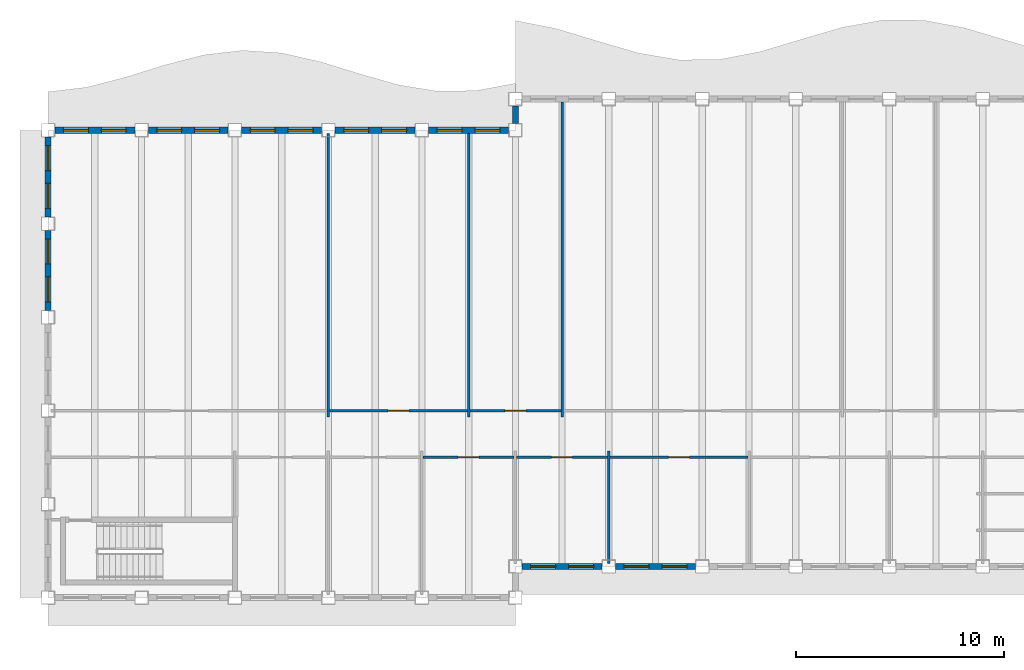
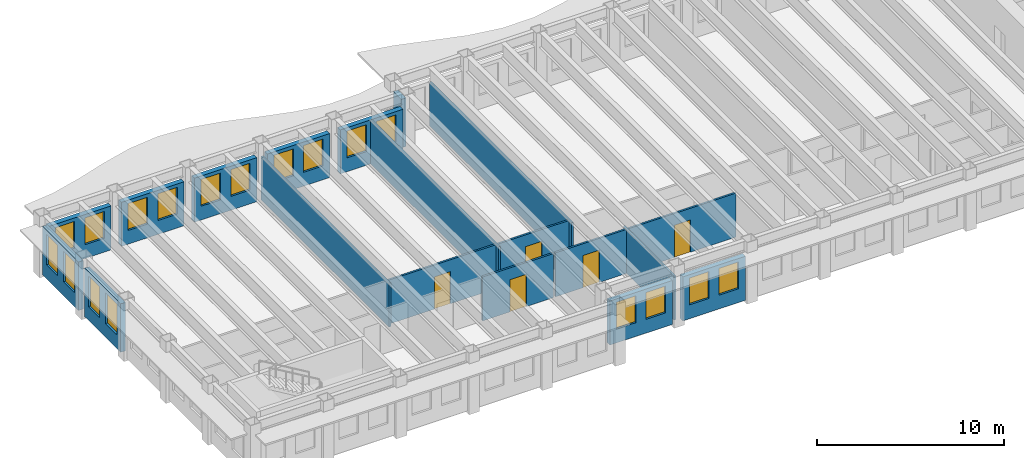
# One storey, part 3 of 12: 19 walls, 18 windows, 5 doors, 23 openings.
"""IFC4 building model written with IfcOpenShell, lengths in metres."""

from ifc_helpers import new_model, si_unit, direction, frame, frame_2d, origin, place, context, subcontext, project, spatial, rectangle, extrude, material, layer, layer_set, type_object, element, fill, save


model = new_model("IFC4")

# Units and contexts
model_context = context("Model", 3, precision=1e-05, world=origin(), true_north=direction((0.0, 1.0)))
body_context = subcontext(model_context, "Body", "Model", "MODEL_VIEW")
ifc_project = project(units=[si_unit("LENGTHUNIT", "METRE"), si_unit("AREAUNIT", "SQUARE_METRE"), si_unit("VOLUMEUNIT", "CUBIC_METRE"), si_unit("PLANEANGLEUNIT", "RADIAN"), si_unit("MASSUNIT", "GRAM", prefix="KILO")], contexts=[model_context])

# Site, building, storey
site_placement = place(None, origin())
site = spatial("IfcSite", under=ifc_project, at=site_placement, CompositionType="ELEMENT")
building_placement = place(site_placement, origin())
building = spatial("IfcBuilding", under=site, at=building_placement, Name="Sennacour Bend Tower", CompositionType="ELEMENT")
storey_placement = place(building_placement, frame((0.0, 0.0, 273.0)))
storey = spatial("IfcBuildingStorey", under=building, at=storey_placement, Name="L63", CompositionType="ELEMENT", Elevation=273.0)

# Walls
ifc_material_1 = material(Name="Plasterboard partition on steel studs", Category="steel")
ifc_layer_1 = layer(ifc_material_1, 0.1201171875, Name="Plasterboard partition on steel studs", Category="steel")
ifc_layer_set_1 = layer_set([ifc_layer_1], Name="Plasterboard partition on steel studs")
wall_type_1 = type_object("IfcWallType", Name="Partition 120", PredefinedType="PARTITIONING", material=ifc_layer_set_1)
for number, where, z_axis, x_axis, name in (
    (1, (13.5, 8.699951171875, 0.0), (0.0, 0.0, 1.0), (0.0, 1.0, 0.0), "P-L63-W007a"),
    (2, (20.25, 8.699951171875, 0.0), (0.0, 0.0, 1.0), (0.0, 1.0, 0.0), "P-L63-W009a"),
):
    element("IfcWall", number, at=place(storey_placement, frame(where, z_axis=z_axis, x_axis=x_axis)), inside=storey, type_object=wall_type_1, Name=name, PredefinedType="PARTITIONING", context=body_context, shape_type="SweptSolid", body=[
        extrude(rectangle(XDim=13.650146484375, YDim=0.1201171875, at=frame_2d((6.8251953125, 0.0))), origin(), (0.0, 0.0, 1.0), 2.8701171875),
    ])
wall_1_placement = place(storey_placement, frame((24.75, 8.699951171875, 0.0), z_axis=(0.0, 0.0, 1.0), x_axis=(0.0, 1.0, 0.0)))
element("IfcWall", 3, at=wall_1_placement, inside=storey, type_object=wall_type_1, Name="P-L63-W011a", PredefinedType="PARTITIONING", context=body_context, shape_type="SweptSolid", body=[
    extrude(rectangle(XDim=15.150146484375, YDim=0.1201171875, at=frame_2d((7.5751953125, 0.0))), origin(), (0.0, 0.0, 1.0), 2.8701171875),
])
wall_2_placement = place(storey_placement, frame((27.0, 1.64990234375, 0.0), z_axis=(0.0, 0.0, 1.0), x_axis=(0.0, 1.0, 0.0)))
element("IfcWall", 4, at=wall_2_placement, inside=storey, type_object=wall_type_1, Name="P-L63-W012a", PredefinedType="PARTITIONING", context=body_context, shape_type="SweptSolid", body=[
    extrude(rectangle(XDim=5.400146484375, YDim=0.1201171875, at=frame_2d((2.7001953125, 0.0))), origin(), (0.0, 0.0, 1.0), 2.8701171875),
])

# Wall, opening, door
wall_3_placement = place(storey_placement, frame((18.06005859375, 6.75, 0.0), z_axis=(0.0, 0.0, 1.0), x_axis=(1.0, 0.0, 0.0)))
wall_3 = element("IfcWall", 5, at=wall_3_placement, inside=storey, type_object=wall_type_1, Name="P-L63-W043ad", PredefinedType="PARTITIONING", context=body_context, shape_type="SweptSolid", body=[
    extrude(rectangle(XDim=4.3798828125, YDim=0.1201171875, at=frame_2d((2.18994140625, 0.0))), origin(), (0.0, 0.0, 1.0), 2.8701171875),
])
opening_1_placement = place(wall_3_placement, frame((1.68994140625, 0.0, 0.0)))
opening_1 = element("IfcOpeningElement", 6, at=opening_1_placement, cuts=wall_3, Name="Opening OD2", PredefinedType="OPENING", context=body_context, shape_type="SweptSolid", body=[
    extrude(rectangle(XDim=1.0, YDim=2.10009765625, at=frame_2d((0.5, 1.050048828125))), frame((0.0, 0.070068359375, 0.0), z_axis=(0.0, -1.0, 0.0), x_axis=(1.0, 0.0, 0.0)), (0.0, 0.0, 1.0), 0.14013671875),
])
ifc_material_2 = material(Name="Timber", Category="wood")
door_type = type_object("IfcDoorType", Name="DR-OFFICE-1000", OperationType="NOTDEFINED", PredefinedType="DOOR", material=ifc_material_2)
door_1_placement = place(opening_1_placement, origin())
door_1 = element("IfcDoor", 7, at=door_1_placement, inside=storey, type_object=door_type, Name="Door", OperationType="SINGLE_SWING_LEFT", OverallHeight=2.10009765625, OverallWidth=1.0, PredefinedType="DOOR", context=body_context, shape_type="SweptSolid", body=[
    extrude(rectangle(XDim=1.0, YDim=2.10009765625, at=frame_2d((0.5, 1.050048828125))), frame((0.0, 0.02490234375, 0.0), z_axis=(0.0, -1.0, 0.0), x_axis=(1.0, 0.0, 0.0)), (0.0, 0.0, 1.0), 0.050048828125),
])
fill(opening_1, door_1)

wall_4_placement = place(storey_placement, frame((22.56005859375, 6.75, 0.0), z_axis=(0.0, 0.0, 1.0), x_axis=(1.0, 0.0, 0.0)))
wall_4 = element("IfcWall", 8, at=wall_4_placement, inside=storey, type_object=wall_type_1, Name="P-L63-W043ae", PredefinedType="PARTITIONING", context=body_context, shape_type="SweptSolid", body=[
    extrude(rectangle(XDim=4.3798828125, YDim=0.1201171875, at=frame_2d((2.18994140625, 0.0))), origin(), (0.0, 0.0, 1.0), 2.8701171875),
])
opening_2_placement = place(wall_4_placement, frame((1.68994140625, 0.0, 0.0)))
opening_2 = element("IfcOpeningElement", 9, at=opening_2_placement, cuts=wall_4, Name="Opening OD2", PredefinedType="OPENING", context=body_context, shape_type="SweptSolid", body=[
    extrude(rectangle(XDim=1.0, YDim=2.10009765625, at=frame_2d((0.5, 1.050048828125))), frame((0.0, 0.070068359375, 0.0), z_axis=(0.0, -1.0, 0.0), x_axis=(1.0, 0.0, 0.0)), (0.0, 0.0, 1.0), 0.14013671875),
])
door_2_placement = place(opening_2_placement, origin())
door_2 = element("IfcDoor", 10, at=door_2_placement, inside=storey, type_object=door_type, Name="Door", OperationType="SINGLE_SWING_LEFT", OverallHeight=2.10009765625, OverallWidth=1.0, PredefinedType="DOOR", context=body_context, shape_type="SweptSolid", body=[
    extrude(rectangle(XDim=1.0, YDim=2.10009765625, at=frame_2d((0.5, 1.050048828125))), frame((0.0, 0.02490234375, 0.0), z_axis=(0.0, -1.0, 0.0), x_axis=(1.0, 0.0, 0.0)), (0.0, 0.0, 1.0), 0.050048828125),
])
fill(opening_2, door_2)

wall_5_placement = place(storey_placement, frame((27.06005859375, 6.75, 0.0), z_axis=(0.0, 0.0, 1.0), x_axis=(1.0, 0.0, 0.0)))
wall_5 = element("IfcWall", 11, at=wall_5_placement, inside=storey, type_object=wall_type_1, Name="P-L63-W043af", PredefinedType="PARTITIONING", context=body_context, shape_type="SweptSolid", body=[
    extrude(rectangle(XDim=6.6298828125, YDim=0.1201171875, at=frame_2d((3.31494140625, 0.0))), origin(), (0.0, 0.0, 1.0), 2.8701171875),
])
opening_3_placement = place(wall_5_placement, frame((2.81494140625, 0.0, 0.0)))
opening_3 = element("IfcOpeningElement", 12, at=opening_3_placement, cuts=wall_5, Name="Opening OD2", PredefinedType="OPENING", context=body_context, shape_type="SweptSolid", body=[
    extrude(rectangle(XDim=1.0, YDim=2.10009765625, at=frame_2d((0.5, 1.050048828125))), frame((0.0, 0.070068359375, 0.0), z_axis=(0.0, -1.0, 0.0), x_axis=(1.0, 0.0, 0.0)), (0.0, 0.0, 1.0), 0.14013671875),
])
door_3_placement = place(opening_3_placement, origin())
door_3 = element("IfcDoor", 13, at=door_3_placement, inside=storey, type_object=door_type, Name="Door", OperationType="SINGLE_SWING_LEFT", OverallHeight=2.10009765625, OverallWidth=1.0, PredefinedType="DOOR", context=body_context, shape_type="SweptSolid", body=[
    extrude(rectangle(XDim=1.0, YDim=2.10009765625, at=frame_2d((0.5, 1.050048828125))), frame((0.0, 0.02490234375, 0.0), z_axis=(0.0, -1.0, 0.0), x_axis=(1.0, 0.0, 0.0)), (0.0, 0.0, 1.0), 0.050048828125),
])
fill(opening_3, door_3)

wall_6_placement = place(storey_placement, frame((13.56005859375, 9.0, 0.0), z_axis=(0.0, 0.0, 1.0), x_axis=(1.0, 0.0, 0.0)))
wall_6 = element("IfcWall", 14, at=wall_6_placement, inside=storey, type_object=wall_type_1, Name="P-L63-W044ab", PredefinedType="PARTITIONING", context=body_context, shape_type="SweptSolid", body=[
    extrude(rectangle(XDim=6.6298828125, YDim=0.1201171875, at=frame_2d((3.31494140625, 0.0))), origin(), (0.0, 0.0, 1.0), 2.8701171875),
])
opening_4_placement = place(wall_6_placement, frame((2.81494140625, 0.0, 0.0)))
opening_4 = element("IfcOpeningElement", 15, at=opening_4_placement, cuts=wall_6, Name="Opening OD2", PredefinedType="OPENING", context=body_context, shape_type="SweptSolid", body=[
    extrude(rectangle(XDim=1.0, YDim=2.10009765625, at=frame_2d((0.5, 1.050048828125))), frame((0.0, 0.070068359375, 0.0), z_axis=(0.0, -1.0, 0.0), x_axis=(1.0, 0.0, 0.0)), (0.0, 0.0, 1.0), 0.14013671875),
])
door_4_placement = place(opening_4_placement, origin())
door_4 = element("IfcDoor", 16, at=door_4_placement, inside=storey, type_object=door_type, Name="Door", OperationType="SINGLE_SWING_LEFT", OverallHeight=2.10009765625, OverallWidth=1.0, PredefinedType="DOOR", context=body_context, shape_type="SweptSolid", body=[
    extrude(rectangle(XDim=1.0, YDim=2.10009765625, at=frame_2d((0.5, 1.050048828125))), frame((0.0, 0.02490234375, 0.0), z_axis=(0.0, -1.0, 0.0), x_axis=(1.0, 0.0, 0.0)), (0.0, 0.0, 1.0), 0.050048828125),
])
fill(opening_4, door_4)

wall_7_placement = place(storey_placement, frame((20.31005859375, 9.0, 0.0), z_axis=(0.0, 0.0, 1.0), x_axis=(1.0, 0.0, 0.0)))
wall_7 = element("IfcWall", 17, at=wall_7_placement, inside=storey, type_object=wall_type_1, Name="P-L63-W044ac", PredefinedType="PARTITIONING", context=body_context, shape_type="SweptSolid", body=[
    extrude(rectangle(XDim=4.3798828125, YDim=0.1201171875, at=frame_2d((2.18994140625, 0.0))), origin(), (0.0, 0.0, 1.0), 2.8701171875),
])
opening_5_placement = place(wall_7_placement, frame((1.68994140625, 0.0, 0.0)))
opening_5 = element("IfcOpeningElement", 18, at=opening_5_placement, cuts=wall_7, Name="Opening OD2", PredefinedType="OPENING", context=body_context, shape_type="SweptSolid", body=[
    extrude(rectangle(XDim=1.0, YDim=2.10009765625, at=frame_2d((0.5, 1.050048828125))), frame((0.0, 0.070068359375, 0.0), z_axis=(0.0, -1.0, 0.0), x_axis=(1.0, 0.0, 0.0)), (0.0, 0.0, 1.0), 0.14013671875),
])
door_5_placement = place(opening_5_placement, origin())
door_5 = element("IfcDoor", 19, at=door_5_placement, inside=storey, type_object=door_type, Name="Door", OperationType="SINGLE_SWING_LEFT", OverallHeight=2.10009765625, OverallWidth=1.0, PredefinedType="DOOR", context=body_context, shape_type="SweptSolid", body=[
    extrude(rectangle(XDim=1.0, YDim=2.10009765625, at=frame_2d((0.5, 1.050048828125))), frame((0.0, 0.02490234375, 0.0), z_axis=(0.0, -1.0, 0.0), x_axis=(1.0, 0.0, 0.0)), (0.0, 0.0, 1.0), 0.050048828125),
])
fill(opening_5, door_5)

# Wall, openings, windows
ifc_material_3 = material(Name="Warm limestone cladding", Category="masonry")
ifc_layer_2 = layer(ifc_material_3, 0.050048828125, Name="Warm limestone cladding", Category="masonry")
ifc_material_4 = material(Name="Precast concrete C40/50", Category="concrete")
ifc_layer_3 = layer(ifc_material_4, 0.25, Name="Precast concrete C40/50", Category="concrete")
ifc_layer_set_2 = layer_set([ifc_layer_2, ifc_layer_3], Name="Precast concrete C40/50 with limestone cladding")
wall_type_2 = type_object("IfcWallType", Name="STONE-CLAD PRECAST SPANDREL 300", PredefinedType="STANDARD", material=ifc_layer_set_2)
wall_8_placement = place(storey_placement, frame((22.824951171875, 1.5, 0.0), z_axis=(0.0, 0.0, 1.0), x_axis=(1.0, 0.0, 0.0)))
wall_8 = element("IfcWall", 20, at=wall_8_placement, inside=storey, type_object=wall_type_2, Name="Stone spandrel and pier wall L63 01.00", PredefinedType="STANDARD", context=body_context, shape_type="SweptSolid", body=[
    extrude(rectangle(XDim=3.85009765625, YDim=0.300048828125, at=frame_2d((1.925048828125, 0.0))), origin(), (0.0, 0.0, 1.0), 2.8701171875),
])
opening_6_placement = place(wall_8_placement, frame((0.41259765625, 0.0, 0.89990234375)))
opening_6 = element("IfcOpeningElement", 21, at=opening_6_placement, cuts=wall_8, Name="Opening W16", PredefinedType="OPENING", context=body_context, shape_type="SweptSolid", body=[
    extrude(rectangle(XDim=1.199951171875, YDim=1.75, at=frame_2d((0.60009765625, 0.875))), frame((0.0, 0.16015625, 0.0), z_axis=(0.0, -1.0, 0.0), x_axis=(1.0, 0.0, 0.0)), (0.0, 0.0, 1.0), 0.320068359375),
])
opening_7_placement = place(wall_8_placement, frame((2.237548828125, 0.0, 0.89990234375)))
opening_7 = element("IfcOpeningElement", 22, at=opening_7_placement, cuts=wall_8, Name="Opening W16", PredefinedType="OPENING", context=body_context, shape_type="SweptSolid", body=[
    extrude(rectangle(XDim=1.199951171875, YDim=1.75, at=frame_2d((0.60009765625, 0.875))), frame((0.0, 0.16015625, 0.0), z_axis=(0.0, -1.0, 0.0), x_axis=(1.0, 0.0, 0.0)), (0.0, 0.0, 1.0), 0.320068359375),
])
ifc_material_5 = material(Name="Clear low-emissivity glass", Category="glass")
window_type_1 = type_object("IfcWindowType", Name="WIN-RIBBON-1200x1750", PartitioningType="SINGLE_PANEL", PredefinedType="WINDOW", material=ifc_material_5)
window_1_placement = place(opening_6_placement, origin())
window_1 = element("IfcWindow", 23, at=window_1_placement, inside=storey, type_object=window_type_1, Name="Ribbon window L63 01.00.0", OverallHeight=1.75, OverallWidth=1.199951171875, PartitioningType="SINGLE_PANEL", PredefinedType="WINDOW", context=body_context, shape_type="SweptSolid", body=[
    extrude(rectangle(XDim=1.199951171875, YDim=1.75, at=frame_2d((0.60009765625, 0.875))), frame((0.0, 0.030029296875, 0.0), z_axis=(0.0, -1.0, 0.0), x_axis=(1.0, 0.0, 0.0)), (0.0, 0.0, 1.0), 0.06005859375),
])
fill(opening_6, window_1)
window_2_placement = place(opening_7_placement, origin())
window_2 = element("IfcWindow", 24, at=window_2_placement, inside=storey, type_object=window_type_1, Name="Ribbon window L63 01.00.1", OverallHeight=1.75, OverallWidth=1.199951171875, PartitioningType="SINGLE_PANEL", PredefinedType="WINDOW", context=body_context, shape_type="SweptSolid", body=[
    extrude(rectangle(XDim=1.199951171875, YDim=1.75, at=frame_2d((0.60009765625, 0.875))), frame((0.0, 0.030029296875, 0.0), z_axis=(0.0, -1.0, 0.0), x_axis=(1.0, 0.0, 0.0)), (0.0, 0.0, 1.0), 0.06005859375),
])
fill(opening_7, window_2)

wall_9_placement = place(storey_placement, frame((27.324951171875, 1.5, 0.0), z_axis=(0.0, 0.0, 1.0), x_axis=(1.0, 0.0, 0.0)))
wall_9 = element("IfcWall", 25, at=wall_9_placement, inside=storey, type_object=wall_type_2, Name="Stone spandrel and pier wall L63 01.01", PredefinedType="STANDARD", context=body_context, shape_type="SweptSolid", body=[
    extrude(rectangle(XDim=3.85009765625, YDim=0.300048828125, at=frame_2d((1.925048828125, 0.0))), origin(), (0.0, 0.0, 1.0), 2.8701171875),
])
opening_8_placement = place(wall_9_placement, frame((0.41259765625, 0.0, 0.89990234375)))
opening_8 = element("IfcOpeningElement", 26, at=opening_8_placement, cuts=wall_9, Name="Opening W16", PredefinedType="OPENING", context=body_context, shape_type="SweptSolid", body=[
    extrude(rectangle(XDim=1.199951171875, YDim=1.75, at=frame_2d((0.60009765625, 0.875))), frame((0.0, 0.16015625, 0.0), z_axis=(0.0, -1.0, 0.0), x_axis=(1.0, 0.0, 0.0)), (0.0, 0.0, 1.0), 0.320068359375),
])
opening_9_placement = place(wall_9_placement, frame((2.237548828125, 0.0, 0.89990234375)))
opening_9 = element("IfcOpeningElement", 27, at=opening_9_placement, cuts=wall_9, Name="Opening W16", PredefinedType="OPENING", context=body_context, shape_type="SweptSolid", body=[
    extrude(rectangle(XDim=1.199951171875, YDim=1.75, at=frame_2d((0.60009765625, 0.875))), frame((0.0, 0.16015625, 0.0), z_axis=(0.0, -1.0, 0.0), x_axis=(1.0, 0.0, 0.0)), (0.0, 0.0, 1.0), 0.320068359375),
])
window_3_placement = place(opening_8_placement, origin())
window_3 = element("IfcWindow", 28, at=window_3_placement, inside=storey, type_object=window_type_1, Name="Ribbon window L63 01.01.0", OverallHeight=1.75, OverallWidth=1.199951171875, PartitioningType="SINGLE_PANEL", PredefinedType="WINDOW", context=body_context, shape_type="SweptSolid", body=[
    extrude(rectangle(XDim=1.199951171875, YDim=1.75, at=frame_2d((0.60009765625, 0.875))), frame((0.0, 0.030029296875, 0.0), z_axis=(0.0, -1.0, 0.0), x_axis=(1.0, 0.0, 0.0)), (0.0, 0.0, 1.0), 0.06005859375),
])
fill(opening_8, window_3)
window_4_placement = place(opening_9_placement, origin())
window_4 = element("IfcWindow", 29, at=window_4_placement, inside=storey, type_object=window_type_1, Name="Ribbon window L63 01.01.1", OverallHeight=1.75, OverallWidth=1.199951171875, PartitioningType="SINGLE_PANEL", PredefinedType="WINDOW", context=body_context, shape_type="SweptSolid", body=[
    extrude(rectangle(XDim=1.199951171875, YDim=1.75, at=frame_2d((0.60009765625, 0.875))), frame((0.0, 0.030029296875, 0.0), z_axis=(0.0, -1.0, 0.0), x_axis=(1.0, 0.0, 0.0)), (0.0, 0.0, 1.0), 0.06005859375),
])
fill(opening_9, window_4)

# Wall
wall_10_placement = place(storey_placement, frame((22.5, 23.675048828125, 0.0), z_axis=(0.0, 0.0, 1.0), x_axis=(0.0, -1.0, 0.0)))
element("IfcWall", 30, at=wall_10_placement, inside=storey, type_object=wall_type_2, Name="Stone spandrel and pier wall L63 08.00", PredefinedType="STANDARD", context=body_context, shape_type="SweptSolid", body=[
    extrude(rectangle(XDim=0.85009765625, YDim=0.300048828125, at=frame_2d((0.425048828125, 0.0))), origin(), (0.0, 0.0, 1.0), 3.162109375),
])

# Wall, openings, windows
wall_11_placement = place(storey_placement, frame((22.175048828125, 22.5, 0.0), z_axis=(0.0, 0.0, 1.0), x_axis=(-1.0, 0.0, 0.0)))
wall_11 = element("IfcWall", 31, at=wall_11_placement, inside=storey, type_object=wall_type_2, Name="Stone spandrel and pier wall L63 09.00", PredefinedType="STANDARD", context=body_context, shape_type="SweptSolid", body=[
    extrude(rectangle(XDim=3.85009765625, YDim=0.300048828125, at=frame_2d((1.925048828125, 0.0))), origin(), (0.0, 0.0, 1.0), 2.8701171875),
])
opening_10_placement = place(wall_11_placement, frame((0.41259765625, 0.0, 0.89990234375)))
opening_10 = element("IfcOpeningElement", 32, at=opening_10_placement, cuts=wall_11, Name="Opening W16", PredefinedType="OPENING", context=body_context, shape_type="SweptSolid", body=[
    extrude(rectangle(XDim=1.199951171875, YDim=1.75, at=frame_2d((0.60009765625, 0.875))), frame((0.0, 0.16015625, 0.0), z_axis=(0.0, -1.0, 0.0), x_axis=(1.0, 0.0, 0.0)), (0.0, 0.0, 1.0), 0.320068359375),
])
opening_11_placement = place(wall_11_placement, frame((2.237548828125, 0.0, 0.89990234375)))
opening_11 = element("IfcOpeningElement", 33, at=opening_11_placement, cuts=wall_11, Name="Opening W16", PredefinedType="OPENING", context=body_context, shape_type="SweptSolid", body=[
    extrude(rectangle(XDim=1.199951171875, YDim=1.75, at=frame_2d((0.60009765625, 0.875))), frame((0.0, 0.16015625, 0.0), z_axis=(0.0, -1.0, 0.0), x_axis=(1.0, 0.0, 0.0)), (0.0, 0.0, 1.0), 0.320068359375),
])
window_5_placement = place(opening_10_placement, origin())
window_5 = element("IfcWindow", 34, at=window_5_placement, inside=storey, type_object=window_type_1, Name="Ribbon window L63 09.00.0", OverallHeight=1.75, OverallWidth=1.199951171875, PartitioningType="SINGLE_PANEL", PredefinedType="WINDOW", context=body_context, shape_type="SweptSolid", body=[
    extrude(rectangle(XDim=1.199951171875, YDim=1.75, at=frame_2d((0.60009765625, 0.875))), frame((0.0, 0.030029296875, 0.0), z_axis=(0.0, -1.0, 0.0), x_axis=(1.0, 0.0, 0.0)), (0.0, 0.0, 1.0), 0.06005859375),
])
fill(opening_10, window_5)
window_6_placement = place(opening_11_placement, origin())
window_6 = element("IfcWindow", 35, at=window_6_placement, inside=storey, type_object=window_type_1, Name="Ribbon window L63 09.00.1", OverallHeight=1.75, OverallWidth=1.199951171875, PartitioningType="SINGLE_PANEL", PredefinedType="WINDOW", context=body_context, shape_type="SweptSolid", body=[
    extrude(rectangle(XDim=1.199951171875, YDim=1.75, at=frame_2d((0.60009765625, 0.875))), frame((0.0, 0.030029296875, 0.0), z_axis=(0.0, -1.0, 0.0), x_axis=(1.0, 0.0, 0.0)), (0.0, 0.0, 1.0), 0.06005859375),
])
fill(opening_11, window_6)

wall_12_placement = place(storey_placement, frame((17.675048828125, 22.5, 0.0), z_axis=(0.0, 0.0, 1.0), x_axis=(-1.0, 0.0, 0.0)))
wall_12 = element("IfcWall", 36, at=wall_12_placement, inside=storey, type_object=wall_type_2, Name="Stone spandrel and pier wall L63 09.01", PredefinedType="STANDARD", context=body_context, shape_type="SweptSolid", body=[
    extrude(rectangle(XDim=3.85009765625, YDim=0.300048828125, at=frame_2d((1.925048828125, 0.0))), origin(), (0.0, 0.0, 1.0), 2.8701171875),
])
opening_12_placement = place(wall_12_placement, frame((0.41259765625, 0.0, 0.89990234375)))
opening_12 = element("IfcOpeningElement", 37, at=opening_12_placement, cuts=wall_12, Name="Opening W16", PredefinedType="OPENING", context=body_context, shape_type="SweptSolid", body=[
    extrude(rectangle(XDim=1.199951171875, YDim=1.75, at=frame_2d((0.60009765625, 0.875))), frame((0.0, 0.16015625, 0.0), z_axis=(0.0, -1.0, 0.0), x_axis=(1.0, 0.0, 0.0)), (0.0, 0.0, 1.0), 0.320068359375),
])
opening_13_placement = place(wall_12_placement, frame((2.237548828125, 0.0, 0.89990234375)))
opening_13 = element("IfcOpeningElement", 38, at=opening_13_placement, cuts=wall_12, Name="Opening W16", PredefinedType="OPENING", context=body_context, shape_type="SweptSolid", body=[
    extrude(rectangle(XDim=1.199951171875, YDim=1.75, at=frame_2d((0.60009765625, 0.875))), frame((0.0, 0.16015625, 0.0), z_axis=(0.0, -1.0, 0.0), x_axis=(1.0, 0.0, 0.0)), (0.0, 0.0, 1.0), 0.320068359375),
])
window_7_placement = place(opening_12_placement, origin())
window_7 = element("IfcWindow", 39, at=window_7_placement, inside=storey, type_object=window_type_1, Name="Ribbon window L63 09.01.0", OverallHeight=1.75, OverallWidth=1.199951171875, PartitioningType="SINGLE_PANEL", PredefinedType="WINDOW", context=body_context, shape_type="SweptSolid", body=[
    extrude(rectangle(XDim=1.199951171875, YDim=1.75, at=frame_2d((0.60009765625, 0.875))), frame((0.0, 0.030029296875, 0.0), z_axis=(0.0, -1.0, 0.0), x_axis=(1.0, 0.0, 0.0)), (0.0, 0.0, 1.0), 0.06005859375),
])
fill(opening_12, window_7)
window_8_placement = place(opening_13_placement, origin())
window_8 = element("IfcWindow", 40, at=window_8_placement, inside=storey, type_object=window_type_1, Name="Ribbon window L63 09.01.1", OverallHeight=1.75, OverallWidth=1.199951171875, PartitioningType="SINGLE_PANEL", PredefinedType="WINDOW", context=body_context, shape_type="SweptSolid", body=[
    extrude(rectangle(XDim=1.199951171875, YDim=1.75, at=frame_2d((0.60009765625, 0.875))), frame((0.0, 0.030029296875, 0.0), z_axis=(0.0, -1.0, 0.0), x_axis=(1.0, 0.0, 0.0)), (0.0, 0.0, 1.0), 0.06005859375),
])
fill(opening_13, window_8)

wall_13_placement = place(storey_placement, frame((13.175048828125, 22.5, 0.0), z_axis=(0.0, 0.0, 1.0), x_axis=(-1.0, 0.0, 0.0)))
wall_13 = element("IfcWall", 41, at=wall_13_placement, inside=storey, type_object=wall_type_2, Name="Stone spandrel and pier wall L63 09.02", PredefinedType="STANDARD", context=body_context, shape_type="SweptSolid", body=[
    extrude(rectangle(XDim=3.85009765625, YDim=0.300048828125, at=frame_2d((1.925048828125, 0.0))), origin(), (0.0, 0.0, 1.0), 2.8701171875),
])
opening_14_placement = place(wall_13_placement, frame((0.41259765625, 0.0, 0.89990234375)))
opening_14 = element("IfcOpeningElement", 42, at=opening_14_placement, cuts=wall_13, Name="Opening W16", PredefinedType="OPENING", context=body_context, shape_type="SweptSolid", body=[
    extrude(rectangle(XDim=1.199951171875, YDim=1.75, at=frame_2d((0.60009765625, 0.875))), frame((0.0, 0.16015625, 0.0), z_axis=(0.0, -1.0, 0.0), x_axis=(1.0, 0.0, 0.0)), (0.0, 0.0, 1.0), 0.320068359375),
])
opening_15_placement = place(wall_13_placement, frame((2.237548828125, 0.0, 0.89990234375)))
opening_15 = element("IfcOpeningElement", 43, at=opening_15_placement, cuts=wall_13, Name="Opening W16", PredefinedType="OPENING", context=body_context, shape_type="SweptSolid", body=[
    extrude(rectangle(XDim=1.199951171875, YDim=1.75, at=frame_2d((0.60009765625, 0.875))), frame((0.0, 0.16015625, 0.0), z_axis=(0.0, -1.0, 0.0), x_axis=(1.0, 0.0, 0.0)), (0.0, 0.0, 1.0), 0.320068359375),
])
window_9_placement = place(opening_14_placement, origin())
window_9 = element("IfcWindow", 44, at=window_9_placement, inside=storey, type_object=window_type_1, Name="Ribbon window L63 09.02.0", OverallHeight=1.75, OverallWidth=1.199951171875, PartitioningType="SINGLE_PANEL", PredefinedType="WINDOW", context=body_context, shape_type="SweptSolid", body=[
    extrude(rectangle(XDim=1.199951171875, YDim=1.75, at=frame_2d((0.60009765625, 0.875))), frame((0.0, 0.030029296875, 0.0), z_axis=(0.0, -1.0, 0.0), x_axis=(1.0, 0.0, 0.0)), (0.0, 0.0, 1.0), 0.06005859375),
])
fill(opening_14, window_9)
window_10_placement = place(opening_15_placement, origin())
window_10 = element("IfcWindow", 45, at=window_10_placement, inside=storey, type_object=window_type_1, Name="Ribbon window L63 09.02.1", OverallHeight=1.75, OverallWidth=1.199951171875, PartitioningType="SINGLE_PANEL", PredefinedType="WINDOW", context=body_context, shape_type="SweptSolid", body=[
    extrude(rectangle(XDim=1.199951171875, YDim=1.75, at=frame_2d((0.60009765625, 0.875))), frame((0.0, 0.030029296875, 0.0), z_axis=(0.0, -1.0, 0.0), x_axis=(1.0, 0.0, 0.0)), (0.0, 0.0, 1.0), 0.06005859375),
])
fill(opening_15, window_10)

wall_14_placement = place(storey_placement, frame((8.675048828125, 22.5, 0.0), z_axis=(0.0, 0.0, 1.0), x_axis=(-1.0, 0.0, 0.0)))
wall_14 = element("IfcWall", 46, at=wall_14_placement, inside=storey, type_object=wall_type_2, Name="Stone spandrel and pier wall L63 09.03", PredefinedType="STANDARD", context=body_context, shape_type="SweptSolid", body=[
    extrude(rectangle(XDim=3.85009765625, YDim=0.300048828125, at=frame_2d((1.925048828125, 0.0))), origin(), (0.0, 0.0, 1.0), 2.8701171875),
])
opening_16_placement = place(wall_14_placement, frame((0.41259765625, 0.0, 0.89990234375)))
opening_16 = element("IfcOpeningElement", 47, at=opening_16_placement, cuts=wall_14, Name="Opening W16", PredefinedType="OPENING", context=body_context, shape_type="SweptSolid", body=[
    extrude(rectangle(XDim=1.199951171875, YDim=1.75, at=frame_2d((0.60009765625, 0.875))), frame((0.0, 0.16015625, 0.0), z_axis=(0.0, -1.0, 0.0), x_axis=(1.0, 0.0, 0.0)), (0.0, 0.0, 1.0), 0.320068359375),
])
opening_17_placement = place(wall_14_placement, frame((2.237548828125, 0.0, 0.89990234375)))
opening_17 = element("IfcOpeningElement", 48, at=opening_17_placement, cuts=wall_14, Name="Opening W16", PredefinedType="OPENING", context=body_context, shape_type="SweptSolid", body=[
    extrude(rectangle(XDim=1.199951171875, YDim=1.75, at=frame_2d((0.60009765625, 0.875))), frame((0.0, 0.16015625, 0.0), z_axis=(0.0, -1.0, 0.0), x_axis=(1.0, 0.0, 0.0)), (0.0, 0.0, 1.0), 0.320068359375),
])
window_11_placement = place(opening_16_placement, origin())
window_11 = element("IfcWindow", 49, at=window_11_placement, inside=storey, type_object=window_type_1, Name="Ribbon window L63 09.03.0", OverallHeight=1.75, OverallWidth=1.199951171875, PartitioningType="SINGLE_PANEL", PredefinedType="WINDOW", context=body_context, shape_type="SweptSolid", body=[
    extrude(rectangle(XDim=1.199951171875, YDim=1.75, at=frame_2d((0.60009765625, 0.875))), frame((0.0, 0.030029296875, 0.0), z_axis=(0.0, -1.0, 0.0), x_axis=(1.0, 0.0, 0.0)), (0.0, 0.0, 1.0), 0.06005859375),
])
fill(opening_16, window_11)
window_12_placement = place(opening_17_placement, origin())
window_12 = element("IfcWindow", 50, at=window_12_placement, inside=storey, type_object=window_type_1, Name="Ribbon window L63 09.03.1", OverallHeight=1.75, OverallWidth=1.199951171875, PartitioningType="SINGLE_PANEL", PredefinedType="WINDOW", context=body_context, shape_type="SweptSolid", body=[
    extrude(rectangle(XDim=1.199951171875, YDim=1.75, at=frame_2d((0.60009765625, 0.875))), frame((0.0, 0.030029296875, 0.0), z_axis=(0.0, -1.0, 0.0), x_axis=(1.0, 0.0, 0.0)), (0.0, 0.0, 1.0), 0.06005859375),
])
fill(opening_17, window_12)

wall_15_placement = place(storey_placement, frame((4.175048828125, 22.5, 0.0), z_axis=(0.0, 0.0, 1.0), x_axis=(-1.0, 0.0, 0.0)))
wall_15 = element("IfcWall", 51, at=wall_15_placement, inside=storey, type_object=wall_type_2, Name="Stone spandrel and pier wall L63 09.04", PredefinedType="STANDARD", context=body_context, shape_type="SweptSolid", body=[
    extrude(rectangle(XDim=3.85009765625, YDim=0.300048828125, at=frame_2d((1.925048828125, 0.0))), origin(), (0.0, 0.0, 1.0), 2.8701171875),
])
opening_18_placement = place(wall_15_placement, frame((0.41259765625, 0.0, 0.89990234375)))
opening_18 = element("IfcOpeningElement", 52, at=opening_18_placement, cuts=wall_15, Name="Opening W16", PredefinedType="OPENING", context=body_context, shape_type="SweptSolid", body=[
    extrude(rectangle(XDim=1.199951171875, YDim=1.75, at=frame_2d((0.60009765625, 0.875))), frame((0.0, 0.16015625, 0.0), z_axis=(0.0, -1.0, 0.0), x_axis=(1.0, 0.0, 0.0)), (0.0, 0.0, 1.0), 0.320068359375),
])
opening_19_placement = place(wall_15_placement, frame((2.237548828125, 0.0, 0.89990234375)))
opening_19 = element("IfcOpeningElement", 53, at=opening_19_placement, cuts=wall_15, Name="Opening W16", PredefinedType="OPENING", context=body_context, shape_type="SweptSolid", body=[
    extrude(rectangle(XDim=1.199951171875, YDim=1.75, at=frame_2d((0.60009765625, 0.875))), frame((0.0, 0.16015625, 0.0), z_axis=(0.0, -1.0, 0.0), x_axis=(1.0, 0.0, 0.0)), (0.0, 0.0, 1.0), 0.320068359375),
])
window_13_placement = place(opening_18_placement, origin())
window_13 = element("IfcWindow", 54, at=window_13_placement, inside=storey, type_object=window_type_1, Name="Ribbon window L63 09.04.0", OverallHeight=1.75, OverallWidth=1.199951171875, PartitioningType="SINGLE_PANEL", PredefinedType="WINDOW", context=body_context, shape_type="SweptSolid", body=[
    extrude(rectangle(XDim=1.199951171875, YDim=1.75, at=frame_2d((0.60009765625, 0.875))), frame((0.0, 0.030029296875, 0.0), z_axis=(0.0, -1.0, 0.0), x_axis=(1.0, 0.0, 0.0)), (0.0, 0.0, 1.0), 0.06005859375),
])
fill(opening_18, window_13)
window_14_placement = place(opening_19_placement, origin())
window_14 = element("IfcWindow", 55, at=window_14_placement, inside=storey, type_object=window_type_1, Name="Ribbon window L63 09.04.1", OverallHeight=1.75, OverallWidth=1.199951171875, PartitioningType="SINGLE_PANEL", PredefinedType="WINDOW", context=body_context, shape_type="SweptSolid", body=[
    extrude(rectangle(XDim=1.199951171875, YDim=1.75, at=frame_2d((0.60009765625, 0.875))), frame((0.0, 0.030029296875, 0.0), z_axis=(0.0, -1.0, 0.0), x_axis=(1.0, 0.0, 0.0)), (0.0, 0.0, 1.0), 0.06005859375),
])
fill(opening_19, window_14)

wall_16_placement = place(storey_placement, frame((0.0, 22.175048828125, 0.0), z_axis=(0.0, 0.0, 1.0), x_axis=(0.0, -1.0, 0.0)))
wall_16 = element("IfcWall", 56, at=wall_16_placement, inside=storey, type_object=wall_type_2, Name="Stone spandrel and pier wall L63 10.00", PredefinedType="STANDARD", context=body_context, shape_type="SweptSolid", body=[
    extrude(rectangle(XDim=3.85009765625, YDim=0.300048828125, at=frame_2d((1.925048828125, 0.0))), origin(), (0.0, 0.0, 1.0), 3.162109375),
])
opening_20_placement = place(wall_16_placement, frame((0.41259765625, 0.0, 0.89990234375)))
opening_20 = element("IfcOpeningElement", 57, at=opening_20_placement, cuts=wall_16, Name="Opening W14", PredefinedType="OPENING", context=body_context, shape_type="SweptSolid", body=[
    extrude(rectangle(XDim=1.199951171875, YDim=2.0, at=frame_2d((0.60009765625, 1.0))), frame((0.0, 0.16015625, 0.0), z_axis=(0.0, -1.0, 0.0), x_axis=(1.0, 0.0, 0.0)), (0.0, 0.0, 1.0), 0.320068359375),
])
opening_21_placement = place(wall_16_placement, frame((2.237548828125, 0.0, 0.89990234375)))
opening_21 = element("IfcOpeningElement", 58, at=opening_21_placement, cuts=wall_16, Name="Opening W14", PredefinedType="OPENING", context=body_context, shape_type="SweptSolid", body=[
    extrude(rectangle(XDim=1.199951171875, YDim=2.0, at=frame_2d((0.60009765625, 1.0))), frame((0.0, 0.16015625, 0.0), z_axis=(0.0, -1.0, 0.0), x_axis=(1.0, 0.0, 0.0)), (0.0, 0.0, 1.0), 0.320068359375),
])
window_type_2 = type_object("IfcWindowType", Name="WIN-RIBBON-1200x2000", PartitioningType="SINGLE_PANEL", PredefinedType="WINDOW", material=ifc_material_5)
window_15_placement = place(opening_20_placement, origin())
window_15 = element("IfcWindow", 59, at=window_15_placement, inside=storey, type_object=window_type_2, Name="Ribbon window L63 10.00.0", OverallHeight=2.0, OverallWidth=1.199951171875, PartitioningType="SINGLE_PANEL", PredefinedType="WINDOW", context=body_context, shape_type="SweptSolid", body=[
    extrude(rectangle(XDim=1.199951171875, YDim=2.0, at=frame_2d((0.60009765625, 1.0))), frame((0.0, 0.030029296875, 0.0), z_axis=(0.0, -1.0, 0.0), x_axis=(1.0, 0.0, 0.0)), (0.0, 0.0, 1.0), 0.06005859375),
])
fill(opening_20, window_15)
window_16_placement = place(opening_21_placement, origin())
window_16 = element("IfcWindow", 60, at=window_16_placement, inside=storey, type_object=window_type_2, Name="Ribbon window L63 10.00.1", OverallHeight=2.0, OverallWidth=1.199951171875, PartitioningType="SINGLE_PANEL", PredefinedType="WINDOW", context=body_context, shape_type="SweptSolid", body=[
    extrude(rectangle(XDim=1.199951171875, YDim=2.0, at=frame_2d((0.60009765625, 1.0))), frame((0.0, 0.030029296875, 0.0), z_axis=(0.0, -1.0, 0.0), x_axis=(1.0, 0.0, 0.0)), (0.0, 0.0, 1.0), 0.06005859375),
])
fill(opening_21, window_16)

wall_17_placement = place(storey_placement, frame((0.0, 17.675048828125, 0.0), z_axis=(0.0, 0.0, 1.0), x_axis=(0.0, -1.0, 0.0)))
wall_17 = element("IfcWall", 61, at=wall_17_placement, inside=storey, type_object=wall_type_2, Name="Stone spandrel and pier wall L63 10.01", PredefinedType="STANDARD", context=body_context, shape_type="SweptSolid", body=[
    extrude(rectangle(XDim=3.85009765625, YDim=0.300048828125, at=frame_2d((1.925048828125, 0.0))), origin(), (0.0, 0.0, 1.0), 3.162109375),
])
opening_22_placement = place(wall_17_placement, frame((0.41259765625, 0.0, 0.89990234375)))
opening_22 = element("IfcOpeningElement", 62, at=opening_22_placement, cuts=wall_17, Name="Opening W14", PredefinedType="OPENING", context=body_context, shape_type="SweptSolid", body=[
    extrude(rectangle(XDim=1.199951171875, YDim=2.0, at=frame_2d((0.60009765625, 1.0))), frame((0.0, 0.16015625, 0.0), z_axis=(0.0, -1.0, 0.0), x_axis=(1.0, 0.0, 0.0)), (0.0, 0.0, 1.0), 0.320068359375),
])
opening_23_placement = place(wall_17_placement, frame((2.237548828125, 0.0, 0.89990234375)))
opening_23 = element("IfcOpeningElement", 63, at=opening_23_placement, cuts=wall_17, Name="Opening W14", PredefinedType="OPENING", context=body_context, shape_type="SweptSolid", body=[
    extrude(rectangle(XDim=1.199951171875, YDim=2.0, at=frame_2d((0.60009765625, 1.0))), frame((0.0, 0.16015625, 0.0), z_axis=(0.0, -1.0, 0.0), x_axis=(1.0, 0.0, 0.0)), (0.0, 0.0, 1.0), 0.320068359375),
])
window_17_placement = place(opening_22_placement, origin())
window_17 = element("IfcWindow", 64, at=window_17_placement, inside=storey, type_object=window_type_2, Name="Ribbon window L63 10.01.0", OverallHeight=2.0, OverallWidth=1.199951171875, PartitioningType="SINGLE_PANEL", PredefinedType="WINDOW", context=body_context, shape_type="SweptSolid", body=[
    extrude(rectangle(XDim=1.199951171875, YDim=2.0, at=frame_2d((0.60009765625, 1.0))), frame((0.0, 0.030029296875, 0.0), z_axis=(0.0, -1.0, 0.0), x_axis=(1.0, 0.0, 0.0)), (0.0, 0.0, 1.0), 0.06005859375),
])
fill(opening_22, window_17)
window_18_placement = place(opening_23_placement, origin())
window_18 = element("IfcWindow", 65, at=window_18_placement, inside=storey, type_object=window_type_2, Name="Ribbon window L63 10.01.1", OverallHeight=2.0, OverallWidth=1.199951171875, PartitioningType="SINGLE_PANEL", PredefinedType="WINDOW", context=body_context, shape_type="SweptSolid", body=[
    extrude(rectangle(XDim=1.199951171875, YDim=2.0, at=frame_2d((0.60009765625, 1.0))), frame((0.0, 0.030029296875, 0.0), z_axis=(0.0, -1.0, 0.0), x_axis=(1.0, 0.0, 0.0)), (0.0, 0.0, 1.0), 0.06005859375),
])
fill(opening_23, window_18)

save(model, "model.ifc")
